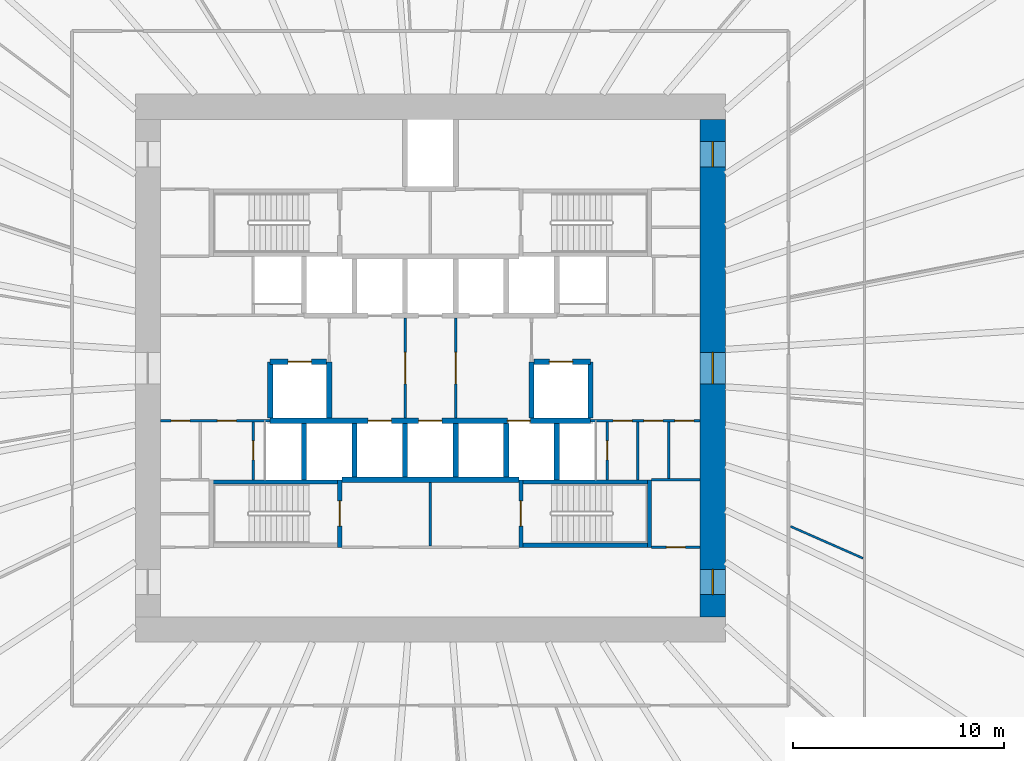
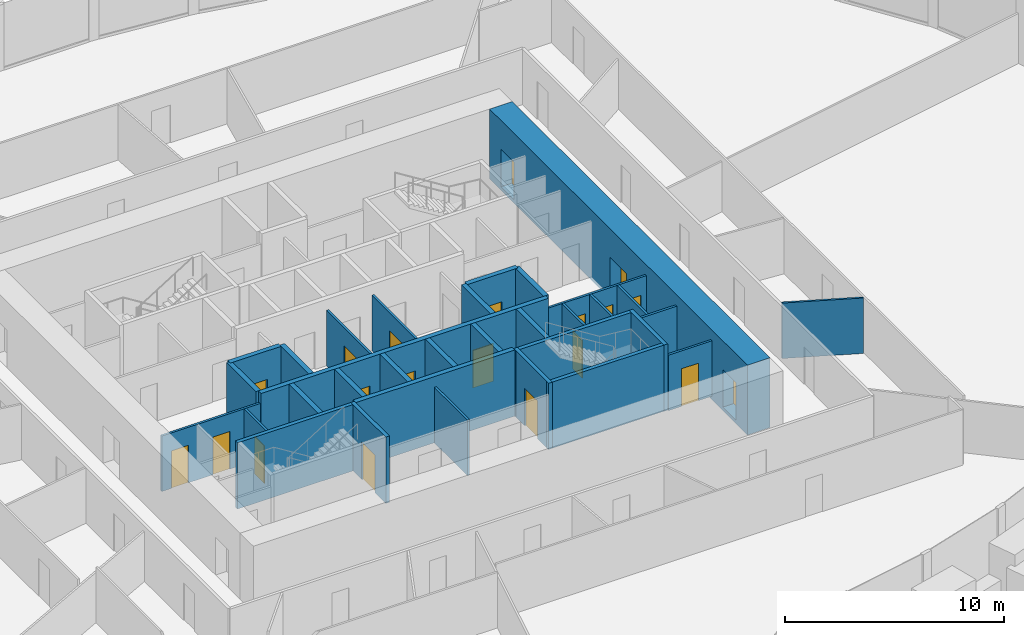
# One storey, part 8 of 12: 33 walls, 20 doors, 20 openings.
"""IFC4 building model written with IfcOpenShell, lengths in metres."""

from ifc_helpers import new_model, si_unit, direction, frame, frame_2d, origin, place, context, subcontext, project, spatial, rectangle, extrude, source, transform, mapped, material, layer, layer_set, type_object, element, fill, save


model = new_model("IFC4")

# Units and contexts
model_context = context("Model", 3, precision=1e-05, world=origin(), true_north=direction((0.0, 1.0)))
body_context = subcontext(model_context, "Body", "Model", "MODEL_VIEW")
ifc_project = project(units=[si_unit("LENGTHUNIT", "METRE"), si_unit("AREAUNIT", "SQUARE_METRE"), si_unit("VOLUMEUNIT", "CUBIC_METRE"), si_unit("PLANEANGLEUNIT", "RADIAN"), si_unit("MASSUNIT", "GRAM", prefix="KILO")], contexts=[model_context])

# Site, building, storey
site_placement = place(None, origin())
site = spatial("IfcSite", under=ifc_project, at=site_placement, CompositionType="ELEMENT")
building_placement = place(site_placement, origin())
building = spatial("IfcBuilding", under=site, at=building_placement, Name="Embergate Tower", CompositionType="ELEMENT")
storey_placement = place(building_placement, frame((0.0, 0.0, 65.89990234375)))
storey = spatial("IfcBuildingStorey", under=building, at=storey_placement, Name="L12", CompositionType="ELEMENT", Elevation=65.89990234375)

# Wall, openings, doors
ifc_material_1 = material(Name="Concrete C80", Category="concrete")
ifc_layer_1 = layer(ifc_material_1, 1.199951171875)
ifc_layer_set_1 = layer_set([ifc_layer_1], Name="Concrete C80")
wall_type_1 = type_object("IfcWallType", Name="Core outer wall C80 1200", PredefinedType="SHEAR", material=ifc_layer_set_1)
shared_shape_1 = source(origin(), body_context, "Body", "SweptSolid", [
    extrude(rectangle(XDim=23.60009765625, YDim=1.199951171875, at=frame_2d((11.800048828125, 0.0))), origin(), (0.0, 0.0, 1.0), 3.900146484375),
])
wall_1_placement = place(storey_placement, frame((13.39990234375, -11.800048828125, -0.199951171875), z_axis=(0.0, 0.0, 1.0), x_axis=(0.0, 1.0, 0.0)))
wall_1 = element("IfcWall", 1, at=wall_1_placement, inside=storey, type_object=wall_type_1, Name="CW-L12-E", PredefinedType="SHEAR", context=body_context, shape_type="MappedRepresentation", body=[
    mapped(shared_shape_1, transform((0.0, 0.0, 0.0))),
])
shared_shape_2 = source(origin(), body_context, "Body", "SweptSolid", [
    extrude(rectangle(XDim=1.199951171875, YDim=2.10009765625, at=frame_2d((0.60009765625, 1.050048828125))), frame((0.0, 0.60986328125, 0.0), z_axis=(0.0, -1.0, 0.0), x_axis=(1.0, 0.0, 0.0)), (0.0, 0.0, 1.0), 1.219970703125),
])
opening_1_placement = place(wall_1_placement, frame((21.35009765625, 0.0, 0.199951171875)))
opening_1 = element("IfcOpeningElement", 2, at=opening_1_placement, cuts=wall_1, Name="Opening IF-1", PredefinedType="OPENING", context=body_context, shape_type="MappedRepresentation", body=[
    mapped(shared_shape_2, transform((0.0, 0.0, 0.0))),
])
opening_2_placement = place(wall_1_placement, frame((1.050048828125, 0.0, 0.199951171875)))
opening_2 = element("IfcOpeningElement", 3, at=opening_2_placement, cuts=wall_1, Name="Opening IF-1", PredefinedType="OPENING", context=body_context, shape_type="MappedRepresentation", body=[
    mapped(shared_shape_2, transform((0.0, 0.0, 0.0))),
])
shared_shape_3 = source(origin(), body_context, "Body", "SweptSolid", [
    extrude(rectangle(XDim=1.5, YDim=2.10009765625, at=frame_2d((0.75, 1.050048828125))), frame((0.0, 0.60986328125, 0.0), z_axis=(0.0, -1.0, 0.0), x_axis=(1.0, 0.0, 0.0)), (0.0, 0.0, 1.0), 1.219970703125),
])
opening_3_placement = place(wall_1_placement, frame((11.050048828125, 0.0, 0.199951171875)))
opening_3 = element("IfcOpeningElement", 4, at=opening_3_placement, cuts=wall_1, Name="Opening IF-3", PredefinedType="OPENING", context=body_context, shape_type="MappedRepresentation", body=[
    mapped(shared_shape_3, transform((0.0, 0.0, 0.0))),
])
ifc_material_2 = material(Name="Escape fire door 1200")
door_type_1 = type_object("IfcDoorType", Name="Escape fire door 1200", OperationType="SINGLE_SWING_LEFT", PredefinedType="DOOR", material=ifc_material_2)
shared_shape_4 = source(origin(), body_context, "Body", "SweptSolid", [
    extrude(rectangle(XDim=1.199951171875, YDim=2.10009765625, at=frame_2d((0.60009765625, 1.050048828125))), frame((0.0, 0.02490234375, 0.0), z_axis=(0.0, -1.0, 0.0), x_axis=(1.0, 0.0, 0.0)), (0.0, 0.0, 1.0), 0.050048828125),
])
door_1_placement = place(opening_1_placement, origin())
door_1 = element("IfcDoor", 5, at=door_1_placement, inside=storey, type_object=door_type_1, Name="IF-1 door", OperationType="SINGLE_SWING_RIGHT", OverallHeight=2.10009765625, OverallWidth=1.199951171875, PredefinedType="DOOR", context=body_context, shape_type="MappedRepresentation", body=[
    mapped(shared_shape_4, transform((0.0, 0.0, 0.0))),
])
fill(opening_1, door_1)
door_2_placement = place(opening_2_placement, origin())
door_2 = element("IfcDoor", 6, at=door_2_placement, inside=storey, type_object=door_type_1, Name="IF-1 door", OperationType="SINGLE_SWING_LEFT", OverallHeight=2.10009765625, OverallWidth=1.199951171875, PredefinedType="DOOR", context=body_context, shape_type="MappedRepresentation", body=[
    mapped(shared_shape_4, transform((0.0, 0.0, 0.0))),
])
fill(opening_2, door_2)
ifc_material_3 = material(Name="Lobby fire door pair 1500")
door_type_2 = type_object("IfcDoorType", Name="Lobby fire door pair 1500", OperationType="DOUBLE_DOOR_SINGLE_SWING", PredefinedType="DOOR", material=ifc_material_3)
shared_shape_5 = source(origin(), body_context, "Body", "SweptSolid", [
    extrude(rectangle(XDim=1.5, YDim=2.10009765625, at=frame_2d((0.75, 1.050048828125))), frame((0.0, 0.02490234375, 0.0), z_axis=(0.0, -1.0, 0.0), x_axis=(1.0, 0.0, 0.0)), (0.0, 0.0, 1.0), 0.050048828125),
])
door_3_placement = place(opening_3_placement, origin())
door_3 = element("IfcDoor", 7, at=door_3_placement, inside=storey, type_object=door_type_2, Name="IF-3 door", OperationType="DOUBLE_DOOR_SINGLE_SWING", OverallHeight=2.10009765625, OverallWidth=1.5, PredefinedType="DOOR", context=body_context, shape_type="MappedRepresentation", body=[
    mapped(shared_shape_5, transform((0.0, 0.0, 0.0))),
])
fill(opening_3, door_3)

# Wall, opening, door
ifc_material_4 = material(Name="Core partition blockwork 120")
ifc_layer_2 = layer(ifc_material_4, 0.1201171875)
ifc_layer_set_2 = layer_set([ifc_layer_2], Name="Core partition blockwork 120")
wall_type_2 = type_object("IfcWallType", Name="Core partition blockwork 120", PredefinedType="PARTITIONING", material=ifc_layer_set_2)
shared_shape_6 = source(origin(), body_context, "Body", "SweptSolid", [
    extrude(rectangle(XDim=2.739990234375, YDim=0.1201171875, at=frame_2d((1.3701171875, 0.0))), origin(), (0.0, 0.0, 1.0), 3.10009765625),
])
wall_2_placement = place(storey_placement, frame((-8.39990234375, -2.56005859375, 0.0), z_axis=(0.0, 0.0, 1.0), x_axis=(0.0, -1.0, 0.0)))
wall_2 = element("IfcWall", 8, at=wall_2_placement, inside=storey, type_object=wall_type_2, Name="IP-3 wall", PredefinedType="PARTITIONING", context=body_context, shape_type="MappedRepresentation", body=[
    mapped(shared_shape_6, transform((0.0, 0.0, 0.0))),
])
shared_shape_7 = source(origin(), body_context, "Body", "SweptSolid", [
    extrude(rectangle(XDim=0.89990234375, YDim=2.10009765625, at=frame_2d((0.449951171875, 1.050048828125))), frame((0.0, 0.070068359375, 0.0), z_axis=(0.0, -1.0, 0.0), x_axis=(1.0, 0.0, 0.0)), (0.0, 0.0, 1.0), 0.14013671875),
])
opening_4_placement = place(wall_2_placement, frame((0.889892578125, 0.0, 0.0)))
opening_4 = element("IfcOpeningElement", 9, at=opening_4_placement, cuts=wall_2, Name="Opening ID-1", PredefinedType="OPENING", context=body_context, shape_type="MappedRepresentation", body=[
    mapped(shared_shape_7, transform((0.0, 0.0, 0.0))),
])
ifc_material_5 = material(Name="Interior door 900")
door_type_3 = type_object("IfcDoorType", Name="Interior door 900", OperationType="SINGLE_SWING_LEFT", PredefinedType="DOOR", material=ifc_material_5)
shared_shape_8 = source(origin(), body_context, "Body", "SweptSolid", [
    extrude(rectangle(XDim=0.89990234375, YDim=2.10009765625, at=frame_2d((0.449951171875, 1.050048828125))), frame((0.0, 0.02490234375, 0.0), z_axis=(0.0, -1.0, 0.0), x_axis=(1.0, 0.0, 0.0)), (0.0, 0.0, 1.0), 0.050048828125),
])
door_4_placement = place(opening_4_placement, origin())
door_4 = element("IfcDoor", 10, at=door_4_placement, inside=storey, type_object=door_type_3, Name="ID-1 door", OperationType="SINGLE_SWING_LEFT", OverallHeight=2.10009765625, OverallWidth=0.89990234375, PredefinedType="DOOR", context=body_context, shape_type="MappedRepresentation", body=[
    mapped(shared_shape_8, transform((0.0, 0.0, 0.0))),
])
fill(opening_4, door_4)

wall_3_placement = place(storey_placement, frame((8.39990234375, -5.300048828125, 0.0), z_axis=(0.0, 0.0, 1.0), x_axis=(0.0, 1.0, 0.0)))
wall_3 = element("IfcWall", 11, at=wall_3_placement, inside=storey, type_object=wall_type_2, Name="IP-3 wall", PredefinedType="PARTITIONING", context=body_context, shape_type="MappedRepresentation", body=[
    mapped(shared_shape_6, transform((0.0, 0.0, 0.0))),
])
opening_5_placement = place(wall_3_placement, frame((0.949951171875, 0.0, 0.0)))
opening_5 = element("IfcOpeningElement", 12, at=opening_5_placement, cuts=wall_3, Name="Opening ID-1", PredefinedType="OPENING", context=body_context, shape_type="MappedRepresentation", body=[
    mapped(shared_shape_7, transform((0.0, 0.0, 0.0))),
])
door_5_placement = place(opening_5_placement, origin())
door_5 = element("IfcDoor", 13, at=door_5_placement, inside=storey, type_object=door_type_3, Name="ID-1 door", OperationType="SINGLE_SWING_LEFT", OverallHeight=2.10009765625, OverallWidth=0.89990234375, PredefinedType="DOOR", context=body_context, shape_type="MappedRepresentation", body=[
    mapped(shared_shape_8, transform((0.0, 0.0, 0.0))),
])
fill(opening_5, door_5)

# Wall
wall_4_placement = place(storey_placement, frame((9.85205078125, -5.300048828125, 0.0), z_axis=(0.0, 0.0, 1.0), x_axis=(0.0, 1.0, 0.0)))
element("IfcWall", 14, at=wall_4_placement, inside=storey, type_object=wall_type_2, Name="IP-3 wall", PredefinedType="PARTITIONING", context=body_context, shape_type="MappedRepresentation", body=[
    mapped(shared_shape_6, transform((0.0, 0.0, 0.0))),
])

# Wall, openings, doors
shared_shape_9 = source(origin(), body_context, "Body", "SweptSolid", [
    extrude(rectangle(XDim=5.199951171875, YDim=0.1201171875, at=frame_2d((2.60009765625, 0.0))), origin(), (0.0, 0.0, 1.0), 3.10009765625),
])
wall_5_placement = place(storey_placement, frame((-7.60009765625, -2.5, 0.0), z_axis=(0.0, 0.0, 1.0), x_axis=(-1.0, 0.0, 0.0)))
wall_5 = element("IfcWall", 15, at=wall_5_placement, inside=storey, type_object=wall_type_2, Name="IP-3 wall", PredefinedType="PARTITIONING", context=body_context, shape_type="MappedRepresentation", body=[
    mapped(shared_shape_9, transform((0.0, 0.0, 0.0))),
])
opening_6_placement = place(wall_5_placement, frame((3.803955078125, 0.0, 0.0)))
opening_6 = element("IfcOpeningElement", 16, at=opening_6_placement, cuts=wall_5, Name="Opening ID-1", PredefinedType="OPENING", context=body_context, shape_type="MappedRepresentation", body=[
    mapped(shared_shape_7, transform((0.0, 0.0, 0.0))),
])
opening_7_placement = place(wall_5_placement, frame((1.60400390625, 0.0, 0.0)))
opening_7 = element("IfcOpeningElement", 17, at=opening_7_placement, cuts=wall_5, Name="Opening ID-1", PredefinedType="OPENING", context=body_context, shape_type="MappedRepresentation", body=[
    mapped(shared_shape_7, transform((0.0, 0.0, 0.0))),
])
door_6_placement = place(opening_6_placement, origin())
door_6 = element("IfcDoor", 18, at=door_6_placement, inside=storey, type_object=door_type_3, Name="ID-1 door", OperationType="SINGLE_SWING_RIGHT", OverallHeight=2.10009765625, OverallWidth=0.89990234375, PredefinedType="DOOR", context=body_context, shape_type="MappedRepresentation", body=[
    mapped(shared_shape_8, transform((0.0, 0.0, 0.0))),
])
fill(opening_6, door_6)
door_7_placement = place(opening_7_placement, origin())
door_7 = element("IfcDoor", 19, at=door_7_placement, inside=storey, type_object=door_type_3, Name="ID-1 door", OperationType="SINGLE_SWING_LEFT", OverallHeight=2.10009765625, OverallWidth=0.89990234375, PredefinedType="DOOR", context=body_context, shape_type="MappedRepresentation", body=[
    mapped(shared_shape_8, transform((0.0, 0.0, 0.0))),
])
fill(opening_7, door_7)

wall_6_placement = place(storey_placement, frame((12.800048828125, -2.5, 0.0), z_axis=(0.0, 0.0, 1.0), x_axis=(-1.0, 0.0, 0.0)))
wall_6 = element("IfcWall", 20, at=wall_6_placement, inside=storey, type_object=wall_type_2, Name="IP-3 wall", PredefinedType="PARTITIONING", context=body_context, shape_type="MappedRepresentation", body=[
    mapped(shared_shape_9, transform((0.0, 0.0, 0.0))),
])
opening_8_placement = place(wall_6_placement, frame((3.22412109375, 0.0, 0.0)))
opening_8 = element("IfcOpeningElement", 21, at=opening_8_placement, cuts=wall_6, Name="Opening ID-1", PredefinedType="OPENING", context=body_context, shape_type="MappedRepresentation", body=[
    mapped(shared_shape_7, transform((0.0, 0.0, 0.0))),
])
opening_9_placement = place(wall_6_placement, frame((1.77197265625, 0.0, 0.0)))
opening_9 = element("IfcOpeningElement", 22, at=opening_9_placement, cuts=wall_6, Name="Opening ID-1", PredefinedType="OPENING", context=body_context, shape_type="MappedRepresentation", body=[
    mapped(shared_shape_7, transform((0.0, 0.0, 0.0))),
])
opening_10_placement = place(wall_6_placement, frame((0.298095703125, 0.0, 0.0)))
opening_10 = element("IfcOpeningElement", 23, at=opening_10_placement, cuts=wall_6, Name="Opening ID-1", PredefinedType="OPENING", context=body_context, shape_type="MappedRepresentation", body=[
    mapped(shared_shape_7, transform((0.0, 0.0, 0.0))),
])
door_8_placement = place(opening_8_placement, origin())
door_8 = element("IfcDoor", 24, at=door_8_placement, inside=storey, type_object=door_type_3, Name="ID-1 door", OperationType="SINGLE_SWING_LEFT", OverallHeight=2.10009765625, OverallWidth=0.89990234375, PredefinedType="DOOR", context=body_context, shape_type="MappedRepresentation", body=[
    mapped(shared_shape_8, transform((0.0, 0.0, 0.0))),
])
fill(opening_8, door_8)
door_9_placement = place(opening_9_placement, origin())
door_9 = element("IfcDoor", 25, at=door_9_placement, inside=storey, type_object=door_type_3, Name="ID-1 door", OperationType="SINGLE_SWING_LEFT", OverallHeight=2.10009765625, OverallWidth=0.89990234375, PredefinedType="DOOR", context=body_context, shape_type="MappedRepresentation", body=[
    mapped(shared_shape_8, transform((0.0, 0.0, 0.0))),
])
fill(opening_9, door_9)
door_10_placement = place(opening_10_placement, origin())
door_10 = element("IfcDoor", 26, at=door_10_placement, inside=storey, type_object=door_type_3, Name="ID-1 door", OperationType="SINGLE_SWING_LEFT", OverallHeight=2.10009765625, OverallWidth=0.89990234375, PredefinedType="DOOR", context=body_context, shape_type="MappedRepresentation", body=[
    mapped(shared_shape_8, transform((0.0, 0.0, 0.0))),
])
fill(opening_10, door_10)

# Wall, opening, door
shared_shape_10 = source(origin(), body_context, "Body", "SweptSolid", [
    extrude(rectangle(XDim=4.75, YDim=0.1201171875, at=frame_2d((2.375, 0.0))), origin(), (0.0, 0.0, 1.0), 3.10009765625),
])
wall_7_placement = place(storey_placement, frame((-1.199951171875, -2.375, 0.0), z_axis=(0.0, 0.0, 1.0), x_axis=(0.0, 1.0, 0.0)))
wall_7 = element("IfcWall", 27, at=wall_7_placement, inside=storey, type_object=wall_type_2, Name="IP-3 wall", PredefinedType="PARTITIONING", context=body_context, shape_type="MappedRepresentation", body=[
    mapped(shared_shape_10, transform((0.0, 0.0, 0.0))),
])
shared_shape_11 = source(origin(), body_context, "Body", "SweptSolid", [
    extrude(rectangle(XDim=1.5, YDim=2.10009765625, at=frame_2d((0.75, 1.050048828125))), frame((0.0, 0.070068359375, 0.0), z_axis=(0.0, -1.0, 0.0), x_axis=(1.0, 0.0, 0.0)), (0.0, 0.0, 1.0), 0.14013671875),
])
opening_11_placement = place(wall_7_placement, frame((1.625, 0.0, 0.0)))
opening_11 = element("IfcOpeningElement", 28, at=opening_11_placement, cuts=wall_7, Name="Opening IF-3", PredefinedType="OPENING", context=body_context, shape_type="MappedRepresentation", body=[
    mapped(shared_shape_11, transform((0.0, 0.0, 0.0))),
])
door_11_placement = place(opening_11_placement, origin())
door_11 = element("IfcDoor", 29, at=door_11_placement, inside=storey, type_object=door_type_2, Name="IF-3 door", OperationType="DOUBLE_DOOR_SINGLE_SWING", OverallHeight=2.10009765625, OverallWidth=1.5, PredefinedType="DOOR", context=body_context, shape_type="MappedRepresentation", body=[
    mapped(shared_shape_5, transform((0.0, 0.0, 0.0))),
])
fill(opening_11, door_11)

wall_8_placement = place(storey_placement, frame((1.199951171875, -2.375, 0.0), z_axis=(0.0, 0.0, 1.0), x_axis=(0.0, 1.0, 0.0)))
wall_8 = element("IfcWall", 30, at=wall_8_placement, inside=storey, type_object=wall_type_2, Name="IP-3 wall", PredefinedType="PARTITIONING", context=body_context, shape_type="MappedRepresentation", body=[
    mapped(shared_shape_10, transform((0.0, 0.0, 0.0))),
])
opening_12_placement = place(wall_8_placement, frame((1.625, 0.0, 0.0)))
opening_12 = element("IfcOpeningElement", 31, at=opening_12_placement, cuts=wall_8, Name="Opening IF-3", PredefinedType="OPENING", context=body_context, shape_type="MappedRepresentation", body=[
    mapped(shared_shape_11, transform((0.0, 0.0, 0.0))),
])
door_12_placement = place(opening_12_placement, origin())
door_12 = element("IfcDoor", 32, at=door_12_placement, inside=storey, type_object=door_type_2, Name="IF-3 door", OperationType="DOUBLE_DOOR_SINGLE_SWING", OverallHeight=2.10009765625, OverallWidth=1.5, PredefinedType="DOOR", context=body_context, shape_type="MappedRepresentation", body=[
    mapped(shared_shape_5, transform((0.0, 0.0, 0.0))),
])
fill(opening_12, door_12)

# Wall
shared_shape_12 = source(origin(), body_context, "Body", "SweptSolid", [
    extrude(rectangle(XDim=3.014892578125, YDim=0.1201171875, at=frame_2d((1.50732421875, 0.0))), origin(), (0.0, 0.0, 1.0), 3.10009765625),
])
wall_9_placement = place(storey_placement, frame((0.0, -8.43994140625, 0.0), z_axis=(0.0, 0.0, 1.0), x_axis=(0.0, 1.0, 0.0)))
element("IfcWall", 33, at=wall_9_placement, inside=storey, type_object=wall_type_2, Name="IP-3 wall", PredefinedType="PARTITIONING", context=body_context, shape_type="MappedRepresentation", body=[
    mapped(shared_shape_12, transform((0.0, 0.0, 0.0))),
])

# Wall, opening, door
shared_shape_13 = source(origin(), body_context, "Body", "SweptSolid", [
    extrude(rectangle(XDim=2.300048828125, YDim=0.1201171875, at=frame_2d((1.14990234375, 0.0))), origin(), (0.0, 0.0, 1.0), 3.10009765625),
])
wall_10_placement = place(storey_placement, frame((12.800048828125, -8.5, 0.0), z_axis=(0.0, 0.0, 1.0), x_axis=(-1.0, 0.0, 0.0)))
wall_10 = element("IfcWall", 34, at=wall_10_placement, inside=storey, type_object=wall_type_2, Name="IP-3 wall", PredefinedType="PARTITIONING", context=body_context, shape_type="MappedRepresentation", body=[
    mapped(shared_shape_13, transform((0.0, 0.0, 0.0))),
])
opening_13_placement = place(wall_10_placement, frame((0.699951171875, 0.0, 0.0)))
opening_13 = element("IfcOpeningElement", 35, at=opening_13_placement, cuts=wall_10, Name="Opening ID-1", PredefinedType="OPENING", context=body_context, shape_type="MappedRepresentation", body=[
    mapped(shared_shape_7, transform((0.0, 0.0, 0.0))),
])
door_13_placement = place(opening_13_placement, origin())
door_13 = element("IfcDoor", 36, at=door_13_placement, inside=storey, type_object=door_type_3, Name="ID-1 door", OperationType="SINGLE_SWING_LEFT", OverallHeight=2.10009765625, OverallWidth=0.89990234375, PredefinedType="DOOR", context=body_context, shape_type="MappedRepresentation", body=[
    mapped(shared_shape_8, transform((0.0, 0.0, 0.0))),
])
fill(opening_13, door_13)

# Walls
wall_11_placement = place(storey_placement, frame((10.5, -5.300048828125, 0.0), z_axis=(0.0, 0.0, 1.0), x_axis=(1.0, 0.0, 0.0)))
element("IfcWall", 37, at=wall_11_placement, inside=storey, type_object=wall_type_2, Name="IP-3 wall", PredefinedType="PARTITIONING", context=body_context, shape_type="MappedRepresentation", body=[
    mapped(shared_shape_13, transform((0.0, 0.0, 0.0))),
])
shared_shape_14 = source(origin(), body_context, "Body", "SweptSolid", [
    extrude(rectangle(XDim=2.679931640625, YDim=0.1201171875, at=frame_2d((1.33984375, 0.0))), origin(), (0.0, 0.0, 1.0), 3.10009765625),
])
wall_12_placement = place(storey_placement, frame((11.303955078125, -5.239990234375, 0.0), z_axis=(0.0, 0.0, 1.0), x_axis=(0.0, 1.0, 0.0)))
element("IfcWall", 38, at=wall_12_placement, inside=storey, type_object=wall_type_2, Name="IP-3 wall", PredefinedType="PARTITIONING", context=body_context, shape_type="MappedRepresentation", body=[
    mapped(shared_shape_14, transform((0.0, 0.0, 0.0))),
])
ifc_material_6 = material(Name="Concrete C50", Category="concrete")
ifc_layer_3 = layer(ifc_material_6, 0.25)
ifc_layer_set_3 = layer_set([ifc_layer_3], Name="Concrete C50")
wall_type_3 = type_object("IfcWallType", Name="Hoistway wall reinforced concrete 250", PredefinedType="SHEAR", material=ifc_layer_set_3)
shared_shape_15 = source(origin(), body_context, "Body", "SweptSolid", [
    extrude(rectangle(XDim=2.675048828125, YDim=0.25, at=frame_2d((1.33740234375, 0.0))), origin(), (0.0, 0.0, 1.0), 3.7001953125),
])
for number, where, z_axis, x_axis, name in (
    (39, (-6.0, -5.300048828125, 0.0), (0.0, 0.0, 1.0), (0.0, 1.0, 0.0), "HW-1 wall"),
    (40, (6.0, -5.300048828125, 0.0), (0.0, 0.0, 1.0), (0.0, 1.0, 0.0), "HW-1 wall"),
    (41, (-4.800048828125, 0.300048828125, 0.0), (0.0, 0.0, 1.0), (0.0, -1.0, 0.0), "HW-1 wall"),
    (42, (4.800048828125, -2.375, 0.0), (0.0, 0.0, 1.0), (0.0, 1.0, 0.0), "HW-1 wall"),
):
    element("IfcWall", number, at=place(storey_placement, frame(where, z_axis=z_axis, x_axis=x_axis)), inside=storey, type_object=wall_type_3, Name=name, PredefinedType="SHEAR", context=body_context, shape_type="MappedRepresentation", body=[
        mapped(shared_shape_15, transform((0.0, 0.0, 0.0))),
    ])

# Wall, opening, door
wall_13_placement = place(storey_placement, frame((-4.925048828125, 0.300048828125, 0.0), z_axis=(0.0, 0.0, 1.0), x_axis=(-1.0, 0.0, 0.0)))
wall_13 = element("IfcWall", 43, at=wall_13_placement, inside=storey, type_object=wall_type_3, Name="HW-1 wall", PredefinedType="SHEAR", context=body_context, shape_type="MappedRepresentation", body=[
    mapped(shared_shape_15, transform((0.0, 0.0, 0.0))),
])
shared_shape_16 = source(origin(), body_context, "Body", "SweptSolid", [
    extrude(rectangle(XDim=1.10009765625, YDim=2.10009765625, at=frame_2d((0.550048828125, 1.050048828125))), frame((0.0, 0.135009765625, 0.0), z_axis=(0.0, -1.0, 0.0), x_axis=(1.0, 0.0, 0.0)), (0.0, 0.0, 1.0), 0.27001953125),
])
opening_14_placement = place(wall_13_placement, frame((0.72509765625, 0.0, 0.0)))
opening_14 = element("IfcOpeningElement", 44, at=opening_14_placement, cuts=wall_13, Name="Opening LD", PredefinedType="OPENING", context=body_context, shape_type="MappedRepresentation", body=[
    mapped(shared_shape_16, transform((0.0, 0.0, 0.0))),
])
ifc_material_7 = material(Name="Landing door sliding 1100")
door_type_4 = type_object("IfcDoorType", Name="Landing door sliding 1100", OperationType="SLIDING_TO_LEFT", PredefinedType="DOOR", material=ifc_material_7)
shared_shape_17 = source(origin(), body_context, "Body", "SweptSolid", [
    extrude(rectangle(XDim=1.10009765625, YDim=2.10009765625, at=frame_2d((0.550048828125, 1.050048828125))), frame((0.0, 0.02490234375, 0.0), z_axis=(0.0, -1.0, 0.0), x_axis=(1.0, 0.0, 0.0)), (0.0, 0.0, 1.0), 0.050048828125),
])
door_14_placement = place(opening_14_placement, origin())
door_14 = element("IfcDoor", 45, at=door_14_placement, inside=storey, type_object=door_type_4, Name="LD door", OperationType="SLIDING_TO_LEFT", OverallHeight=2.10009765625, OverallWidth=1.10009765625, PredefinedType="DOOR", context=body_context, shape_type="MappedRepresentation", body=[
    mapped(shared_shape_17, transform((0.0, 0.0, 0.0))),
])
fill(opening_14, door_14)

# Wall
wall_14_placement = place(storey_placement, frame((-7.60009765625, 0.300048828125, 0.0), z_axis=(0.0, 0.0, 1.0), x_axis=(0.0, -1.0, 0.0)))
element("IfcWall", 46, at=wall_14_placement, inside=storey, type_object=wall_type_3, Name="HW-1 wall", PredefinedType="SHEAR", context=body_context, shape_type="MappedRepresentation", body=[
    mapped(shared_shape_15, transform((0.0, 0.0, 0.0))),
])

# Wall, opening, door
wall_15_placement = place(storey_placement, frame((7.60009765625, 0.300048828125, 0.0), z_axis=(0.0, 0.0, 1.0), x_axis=(-1.0, 0.0, 0.0)))
wall_15 = element("IfcWall", 47, at=wall_15_placement, inside=storey, type_object=wall_type_3, Name="HW-1 wall", PredefinedType="SHEAR", context=body_context, shape_type="MappedRepresentation", body=[
    mapped(shared_shape_15, transform((0.0, 0.0, 0.0))),
])
opening_15_placement = place(wall_15_placement, frame((0.85009765625, 0.0, 0.0)))
opening_15 = element("IfcOpeningElement", 48, at=opening_15_placement, cuts=wall_15, Name="Opening LD", PredefinedType="OPENING", context=body_context, shape_type="MappedRepresentation", body=[
    mapped(shared_shape_16, transform((0.0, 0.0, 0.0))),
])
door_15_placement = place(opening_15_placement, origin())
door_15 = element("IfcDoor", 49, at=door_15_placement, inside=storey, type_object=door_type_4, Name="LD door", OperationType="SLIDING_TO_LEFT", OverallHeight=2.10009765625, OverallWidth=1.10009765625, PredefinedType="DOOR", context=body_context, shape_type="MappedRepresentation", body=[
    mapped(shared_shape_17, transform((0.0, 0.0, 0.0))),
])
fill(opening_15, door_15)

# Walls
wall_16_placement = place(storey_placement, frame((7.60009765625, -2.375, 0.0), z_axis=(0.0, 0.0, 1.0), x_axis=(0.0, 1.0, 0.0)))
element("IfcWall", 50, at=wall_16_placement, inside=storey, type_object=wall_type_3, Name="HW-1 wall", PredefinedType="SHEAR", context=body_context, shape_type="MappedRepresentation", body=[
    mapped(shared_shape_15, transform((0.0, 0.0, 0.0))),
])
ifc_layer_4 = layer(ifc_material_6, 0.199951171875)
ifc_layer_set_4 = layer_set([ifc_layer_4], Name="Concrete C50")
wall_type_4 = type_object("IfcWallType", Name="Stair enclosure wall reinforced concrete 250", PredefinedType="SHEAR", material=ifc_layer_set_4)
shared_shape_18 = source(origin(), body_context, "Body", "SweptSolid", [
    extrude(rectangle(XDim=6.300048828125, YDim=0.199951171875, at=frame_2d((3.14990234375, 0.0))), origin(), (0.0, 0.0, 1.0), 3.7001953125),
])
for number, where, z_axis, x_axis, name in (
    (51, (-10.5, -5.39990234375, 0.0), (0.0, 0.0, 1.0), (1.0, 0.0, 0.0), "SE-1 wall"),
    (52, (4.199951171875, -5.39990234375, 0.0), (0.0, 0.0, 1.0), (1.0, 0.0, 0.0), "SE-1 wall"),
    (53, (4.199951171875, -8.39990234375, 0.0), (0.0, 0.0, 1.0), (1.0, 0.0, 0.0), "SE-1 wall"),
):
    element("IfcWall", number, at=place(storey_placement, frame(where, z_axis=z_axis, x_axis=x_axis)), inside=storey, type_object=wall_type_4, Name=name, PredefinedType="SHEAR", context=body_context, shape_type="MappedRepresentation", body=[
        mapped(shared_shape_18, transform((0.0, 0.0, 0.0))),
    ])
shared_shape_19 = source(origin(), body_context, "Body", "SweptSolid", [
    extrude(rectangle(XDim=2.550048828125, YDim=0.25, at=frame_2d((1.27490234375, 0.0))), origin(), (0.0, 0.0, 1.0), 3.7001953125),
])
for number, where, z_axis, x_axis, name in (
    (54, (-3.60009765625, -5.175048828125, 0.0), (0.0, 0.0, 1.0), (0.0, 1.0, 0.0), "HW-1 wall"),
    (55, (-1.199951171875, -5.175048828125, 0.0), (0.0, 0.0, 1.0), (0.0, 1.0, 0.0), "HW-1 wall"),
    (56, (1.199951171875, -5.175048828125, 0.0), (0.0, 0.0, 1.0), (0.0, 1.0, 0.0), "HW-1 wall"),
    (57, (3.60009765625, -5.175048828125, 0.0), (0.0, 0.0, 1.0), (0.0, 1.0, 0.0), "HW-1 wall"),
):
    element("IfcWall", number, at=place(storey_placement, frame(where, z_axis=z_axis, x_axis=x_axis)), inside=storey, type_object=wall_type_3, Name=name, PredefinedType="SHEAR", context=body_context, shape_type="MappedRepresentation", body=[
        mapped(shared_shape_19, transform((0.0, 0.0, 0.0))),
    ])
shared_shape_20 = source(origin(), body_context, "Body", "SweptSolid", [
    extrude(rectangle(XDim=8.39990234375, YDim=0.25, at=frame_2d((4.199951171875, 0.0))), origin(), (0.0, 0.0, 1.0), 3.7001953125),
])
wall_17_placement = place(storey_placement, frame((-4.199951171875, -5.300048828125, 0.0), z_axis=(0.0, 0.0, 1.0), x_axis=(1.0, 0.0, 0.0)))
element("IfcWall", 58, at=wall_17_placement, inside=storey, type_object=wall_type_3, Name="HW-1 wall", PredefinedType="SHEAR", context=body_context, shape_type="MappedRepresentation", body=[
    mapped(shared_shape_20, transform((0.0, 0.0, 0.0))),
])

# Wall, openings, doors
shared_shape_21 = source(origin(), body_context, "Body", "SweptSolid", [
    extrude(rectangle(XDim=15.2001953125, YDim=0.25, at=frame_2d((7.60009765625, 0.0))), origin(), (0.0, 0.0, 1.0), 3.7001953125),
])
wall_18_placement = place(storey_placement, frame((7.60009765625, -2.5, 0.0), z_axis=(0.0, 0.0, 1.0), x_axis=(-1.0, 0.0, 0.0)))
wall_18 = element("IfcWall", 59, at=wall_18_placement, inside=storey, type_object=wall_type_3, Name="HW-1 wall", PredefinedType="SHEAR", context=body_context, shape_type="MappedRepresentation", body=[
    mapped(shared_shape_21, transform((0.0, 0.0, 0.0))),
])
opening_16_placement = place(wall_18_placement, frame((9.449951171875, 0.0, 0.0)))
opening_16 = element("IfcOpeningElement", 60, at=opening_16_placement, cuts=wall_18, Name="Opening LD", PredefinedType="OPENING", context=body_context, shape_type="MappedRepresentation", body=[
    mapped(shared_shape_16, transform((0.0, 0.0, 0.0))),
])
opening_17_placement = place(wall_18_placement, frame((7.050048828125, 0.0, 0.0)))
opening_17 = element("IfcOpeningElement", 61, at=opening_17_placement, cuts=wall_18, Name="Opening LD", PredefinedType="OPENING", context=body_context, shape_type="MappedRepresentation", body=[
    mapped(shared_shape_16, transform((0.0, 0.0, 0.0))),
])
opening_18_placement = place(wall_18_placement, frame((2.85009765625, 0.0, 0.0)))
opening_18 = element("IfcOpeningElement", 62, at=opening_18_placement, cuts=wall_18, Name="Opening LD", PredefinedType="OPENING", context=body_context, shape_type="MappedRepresentation", body=[
    mapped(shared_shape_16, transform((0.0, 0.0, 0.0))),
])
door_16_placement = place(opening_16_placement, origin())
door_16 = element("IfcDoor", 63, at=door_16_placement, inside=storey, type_object=door_type_4, Name="LD door", OperationType="SLIDING_TO_RIGHT", OverallHeight=2.10009765625, OverallWidth=1.10009765625, PredefinedType="DOOR", context=body_context, shape_type="MappedRepresentation", body=[
    mapped(shared_shape_17, transform((0.0, 0.0, 0.0))),
])
fill(opening_16, door_16)
door_17_placement = place(opening_17_placement, origin())
door_17 = element("IfcDoor", 64, at=door_17_placement, inside=storey, type_object=door_type_4, Name="LD door", OperationType="SLIDING_TO_RIGHT", OverallHeight=2.10009765625, OverallWidth=1.10009765625, PredefinedType="DOOR", context=body_context, shape_type="MappedRepresentation", body=[
    mapped(shared_shape_17, transform((0.0, 0.0, 0.0))),
])
fill(opening_17, door_17)
door_18_placement = place(opening_18_placement, origin())
door_18 = element("IfcDoor", 65, at=door_18_placement, inside=storey, type_object=door_type_4, Name="LD door", OperationType="SLIDING_TO_RIGHT", OverallHeight=2.10009765625, OverallWidth=1.10009765625, PredefinedType="DOOR", context=body_context, shape_type="MappedRepresentation", body=[
    mapped(shared_shape_17, transform((0.0, 0.0, 0.0))),
])
fill(opening_18, door_18)

# Wall, opening, door
shared_shape_22 = source(origin(), body_context, "Body", "SweptSolid", [
    extrude(rectangle(XDim=3.199951171875, YDim=0.199951171875, at=frame_2d((1.60009765625, 0.0))), origin(), (0.0, 0.0, 1.0), 3.7001953125),
])
wall_19_placement = place(storey_placement, frame((-4.300048828125, -8.5, 0.0), z_axis=(0.0, 0.0, 1.0), x_axis=(0.0, 1.0, 0.0)))
wall_19 = element("IfcWall", 66, at=wall_19_placement, inside=storey, type_object=wall_type_4, Name="SE-1 wall", PredefinedType="SHEAR", context=body_context, shape_type="MappedRepresentation", body=[
    mapped(shared_shape_22, transform((0.0, 0.0, 0.0))),
])
shared_shape_23 = source(origin(), body_context, "Body", "SweptSolid", [
    extrude(rectangle(XDim=1.199951171875, YDim=2.10009765625, at=frame_2d((0.60009765625, 1.050048828125))), frame((0.0, 0.10986328125, 0.0), z_axis=(0.0, -1.0, 0.0), x_axis=(1.0, 0.0, 0.0)), (0.0, 0.0, 1.0), 0.219970703125),
])
opening_19_placement = place(wall_19_placement, frame((1.0, 0.0, 0.0)))
opening_19 = element("IfcOpeningElement", 67, at=opening_19_placement, cuts=wall_19, Name="Opening IF-2", PredefinedType="OPENING", context=body_context, shape_type="MappedRepresentation", body=[
    mapped(shared_shape_23, transform((0.0, 0.0, 0.0))),
])
ifc_material_8 = material(Name="Stair enclosure door 1200")
door_type_5 = type_object("IfcDoorType", Name="Stair enclosure door 1200", OperationType="SINGLE_SWING_LEFT", PredefinedType="DOOR", material=ifc_material_8)
door_19_placement = place(opening_19_placement, origin())
door_19 = element("IfcDoor", 68, at=door_19_placement, inside=storey, type_object=door_type_5, Name="IF-2 door", OperationType="SINGLE_SWING_LEFT", OverallHeight=2.10009765625, OverallWidth=1.199951171875, PredefinedType="DOOR", context=body_context, shape_type="MappedRepresentation", body=[
    mapped(shared_shape_4, transform((0.0, 0.0, 0.0))),
])
fill(opening_19, door_19)

wall_20_placement = place(storey_placement, frame((4.300048828125, -5.300048828125, 0.0), z_axis=(0.0, 0.0, 1.0), x_axis=(0.0, -1.0, 0.0)))
wall_20 = element("IfcWall", 69, at=wall_20_placement, inside=storey, type_object=wall_type_4, Name="SE-1 wall", PredefinedType="SHEAR", context=body_context, shape_type="MappedRepresentation", body=[
    mapped(shared_shape_22, transform((0.0, 0.0, 0.0))),
])
opening_20_placement = place(wall_20_placement, frame((1.0, 0.0, 0.0)))
opening_20 = element("IfcOpeningElement", 70, at=opening_20_placement, cuts=wall_20, Name="Opening IF-2", PredefinedType="OPENING", context=body_context, shape_type="MappedRepresentation", body=[
    mapped(shared_shape_23, transform((0.0, 0.0, 0.0))),
])
door_20_placement = place(opening_20_placement, origin())
door_20 = element("IfcDoor", 71, at=door_20_placement, inside=storey, type_object=door_type_5, Name="IF-2 door", OperationType="SINGLE_SWING_LEFT", OverallHeight=2.10009765625, OverallWidth=1.199951171875, PredefinedType="DOOR", context=body_context, shape_type="MappedRepresentation", body=[
    mapped(shared_shape_4, transform((0.0, 0.0, 0.0))),
])
fill(opening_20, door_20)

# Walls
wall_21_placement = place(storey_placement, frame((10.39990234375, -8.5, 0.0), z_axis=(0.0, 0.0, 1.0), x_axis=(0.0, 1.0, 0.0)))
element("IfcWall", 72, at=wall_21_placement, inside=storey, type_object=wall_type_4, Name="SE-1 wall", PredefinedType="SHEAR", context=body_context, shape_type="MappedRepresentation", body=[
    mapped(shared_shape_22, transform((0.0, 0.0, 0.0))),
])
ifc_material_9 = material(Name="Partition dry-lined 100")
ifc_layer_5 = layer(ifc_material_9, 0.10009765625)
ifc_layer_set_5 = layer_set([ifc_layer_5], Name="Partition dry-lined 100")
wall_type_5 = type_object("IfcWallType", Name="Partition dry-lined 100", PredefinedType="PARTITIONING", material=ifc_layer_set_5)
shared_shape_24 = source(origin(), body_context, "Body", "SweptSolid", [
    extrude(rectangle(XDim=3.752197265625, YDim=0.10009765625, at=frame_2d((1.8759765625, 0.0))), origin(), (0.0, 0.0, 1.0), 3.10009765625),
])
wall_22_placement = place(storey_placement, frame((17.094970703125, -7.510009765625, 0.0), z_axis=(0.0, 0.0, 1.0), x_axis=(0.915454089735, -0.402422426795, 0.0)))
element("IfcWall", 73, at=wall_22_placement, inside=storey, type_object=wall_type_5, Name="IP-1 wall", PredefinedType="PARTITIONING", context=body_context, shape_type="MappedRepresentation", body=[
    mapped(shared_shape_24, transform((0.0, 0.0, 0.0))),
])

save(model, "model.ifc")
